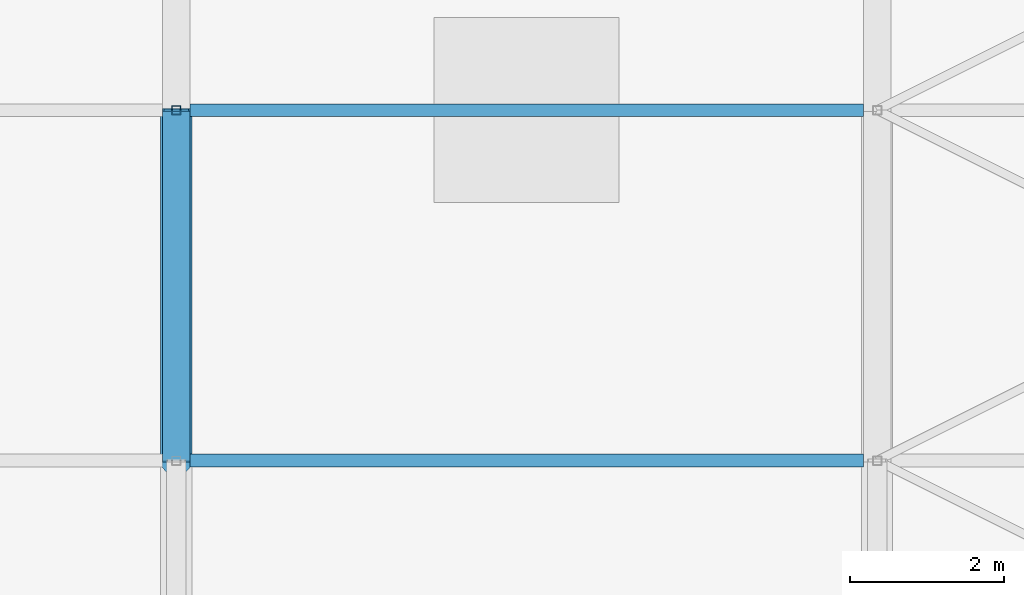
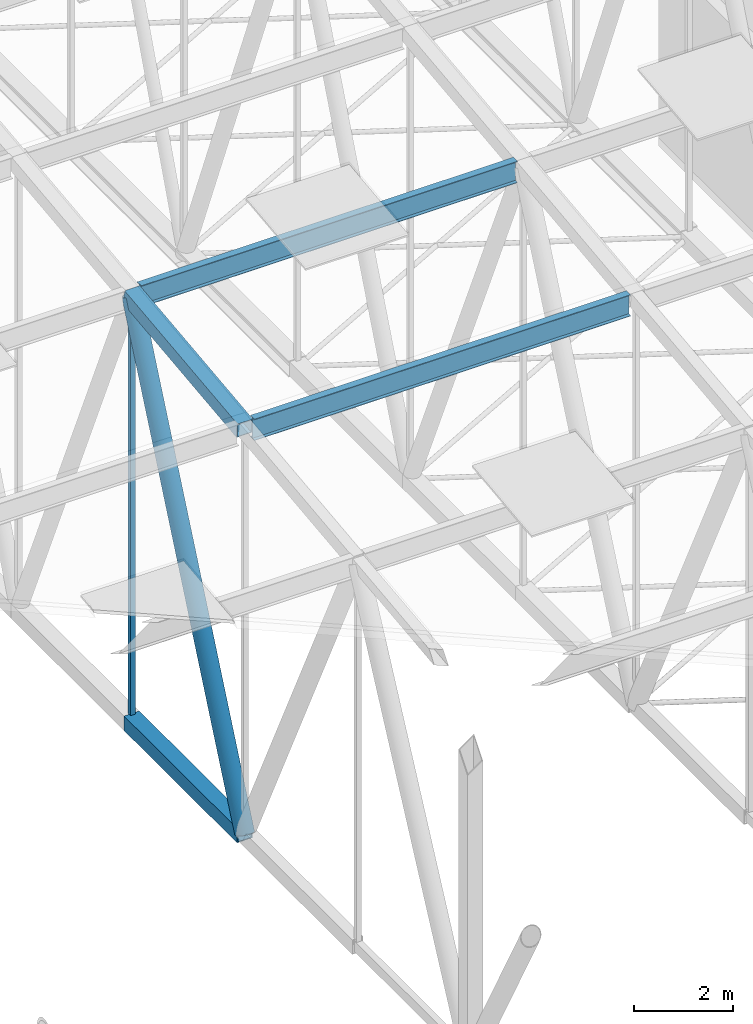
# One storey, part 109 of 500: 6 members.
"""IFC4 building model written with IfcOpenShell, lengths in metres."""

from ifc_helpers import new_model, si_unit, direction, frame, origin, origin_2d, place, context, subcontext, project, spatial, hollow_rectangle, hollow_circle, i_section, extrude, material, material_profile, profile_set, type_object, element, save


model = new_model("IFC4")

# Units and contexts
model_context = context("Model", 3, precision=1e-05, world=origin(), true_north=direction((0.0, 1.0)))
body_context = subcontext(model_context, "Body", "Model", "MODEL_VIEW")
ifc_project = project(units=[si_unit("LENGTHUNIT", "METRE"), si_unit("AREAUNIT", "SQUARE_METRE"), si_unit("VOLUMEUNIT", "CUBIC_METRE"), si_unit("PLANEANGLEUNIT", "RADIAN"), si_unit("MASSUNIT", "GRAM", prefix="KILO")], contexts=[model_context])

# Site, building, storey
site_placement = place(None, origin())
site = spatial("IfcSite", under=ifc_project, at=site_placement, CompositionType="ELEMENT")
building_placement = place(site_placement, origin())
building = spatial("IfcBuilding", under=site, at=building_placement, Name="Shirokan Park Arena", CompositionType="ELEMENT")
storey_placement = place(building_placement, frame((0.0, 0.0, 29.1201171875)))
storey = spatial("IfcBuildingStorey", under=building, at=storey_placement, Name="L06", CompositionType="ELEMENT", Elevation=29.1201171875)

# Members
ifc_material_1 = material(Name="Steel ASTM A500 Grade C", Category="steel")
ifc_material_profile_1 = material_profile(ifc_material_1, hollow_rectangle(XDim=0.35595703125, YDim=0.35595703125, WallThickness=0.01904296875, at=origin_2d()), Name="HSS355.6X355.6X19.0")
ifc_profile_set_1 = profile_set([ifc_material_profile_1], Name="Steel ASTM A500 Grade C")
member_type_1 = type_object("IfcMemberType", Name="Bottom chord HSS355.6X355.6X19.0", PredefinedType="CHORD", material=ifc_profile_set_1)
member_1_placement = place(storey_placement, frame((81.89990234375, 18.199951171875, 4.677001953125), z_axis=(0.0, 1.0, 0.0), x_axis=(-1.0, 0.0, 0.0)))
element("IfcMember", 1, at=member_1_placement, inside=storey, type_object=member_type_1, Name="Truss T10 bottom chord 7", PredefinedType="CHORD", context=body_context, shape_type="SweptSolid", body=[
    extrude(hollow_rectangle(XDim=0.35595703125, YDim=0.35595703125, WallThickness=0.01904296875, at=origin_2d()), origin(), (0.0, 0.0, 1.0), 4.550048828125),
])
ifc_material_2 = material(Name="Steel ASTM A992", Category="steel")
ifc_material_profile_2 = material_profile(ifc_material_2, i_section(OverallWidth=0.166015625, OverallDepth=0.528076171875, WebThickness=0.009765625, FlangeThickness=0.013671875, at=origin_2d()), Name="W530X74")
ifc_profile_set_2 = profile_set([ifc_material_profile_2], Name="Steel ASTM A992")
member_type_2 = type_object("IfcMemberType", Name="Purlin W530X74", PredefinedType="PURLIN", material=ifc_profile_set_2)
for number, where, z_axis, x_axis, name in (
    (2, (82.077880859375, 18.199951171875, 14.56591796875), (1.0, 0.0, 0.0), (0.0, 1.0, 0.0), "Purlin 7 bay 10"),
    (3, (82.077880859375, 22.75, 15.0859375), (1.0, 0.0, 0.0), (0.0, 1.0, 0.0), "Purlin 8 bay 10"),
):
    element("IfcMember", number, at=place(storey_placement, frame(where, z_axis=z_axis, x_axis=x_axis)), inside=storey, type_object=member_type_2, Name=name, PredefinedType="PURLIN", context=body_context, shape_type="SweptSolid", body=[
        extrude(i_section(OverallWidth=0.166015625, OverallDepth=0.528076171875, WebThickness=0.009765625, FlangeThickness=0.013671875, at=origin_2d()), origin(), (0.0, 0.0, 1.0), 8.744140625),
    ])
ifc_material_profile_3 = material_profile(ifc_material_1, hollow_rectangle(XDim=0.35595703125, YDim=0.35595703125, WallThickness=0.01904296875, at=origin_2d()), Name="HSS355.6X355.6X19.0")
ifc_profile_set_3 = profile_set([ifc_material_profile_3], Name="Steel ASTM A500 Grade C")
member_type_3 = type_object("IfcMemberType", Name="Top chord HSS355.6X355.6X19.0", PredefinedType="CHORD", material=ifc_profile_set_3)
member_2_placement = place(storey_placement, frame((81.89990234375, 18.199951171875, 14.621337890625), z_axis=(0.0, 0.993532328996, 0.113549598152), x_axis=(-1.0, 0.0, 0.0)))
element("IfcMember", 4, at=member_2_placement, inside=storey, type_object=member_type_3, Name="Truss T10 top chord 7", PredefinedType="CHORD", context=body_context, shape_type="SweptSolid", body=[
    extrude(hollow_rectangle(XDim=0.35595703125, YDim=0.35595703125, WallThickness=0.01904296875, at=origin_2d()), origin(), (0.0, 0.0, 1.0), 4.57958984375),
])
ifc_material_profile_4 = material_profile(ifc_material_1, hollow_circle(Radius=0.202880859375, WallThickness=0.015869140625, at=origin_2d()), Name="HSS406.4X15.9")
ifc_profile_set_4 = profile_set([ifc_material_profile_4], Name="Steel ASTM A500 Grade C")
member_type_4 = type_object("IfcMemberType", Name="Truss diagonal HSS406.4X15.9", PredefinedType="BRACE", material=ifc_profile_set_4)
member_3_placement = place(storey_placement, frame((81.89990234375, 18.199951171875, 4.677001953125), z_axis=(0.0, 0.398750364192, 0.917059511186), x_axis=(-1.0, 0.0, 0.0)))
element("IfcMember", 5, at=member_3_placement, inside=storey, type_object=member_type_4, Name="Truss T10 diagonal 7", PredefinedType="BRACE", context=body_context, shape_type="SweptSolid", body=[
    extrude(hollow_circle(Radius=0.202880859375, WallThickness=0.015869140625, at=origin_2d()), origin(), (0.0, 0.0, 1.0), 11.410888671875),
])
ifc_material_profile_5 = material_profile(ifc_material_1, hollow_rectangle(XDim=0.114013671875, YDim=0.114013671875, WallThickness=0.00634765625, at=origin_2d()), Name="HSS114.3X114.3X6.4")
ifc_profile_set_5 = profile_set([ifc_material_profile_5], Name="Steel ASTM A500 Grade C")
member_type_5 = type_object("IfcMemberType", Name="Truss post HSS114.3X114.3X6.4", PredefinedType="POST", material=ifc_profile_set_5)
member_4_placement = place(storey_placement, frame((81.89990234375, 22.75, 4.677001953125), z_axis=(0.0, 0.0, 1.0), x_axis=(1.0, 0.0, 0.0)))
element("IfcMember", 6, at=member_4_placement, inside=storey, type_object=member_type_5, Name="Truss T10 post 8", PredefinedType="POST", context=body_context, shape_type="SweptSolid", body=[
    extrude(hollow_rectangle(XDim=0.114013671875, YDim=0.114013671875, WallThickness=0.00634765625, at=origin_2d()), origin(), (0.0, 0.0, 1.0), 10.46435546875),
])

save(model, "model.ifc")
